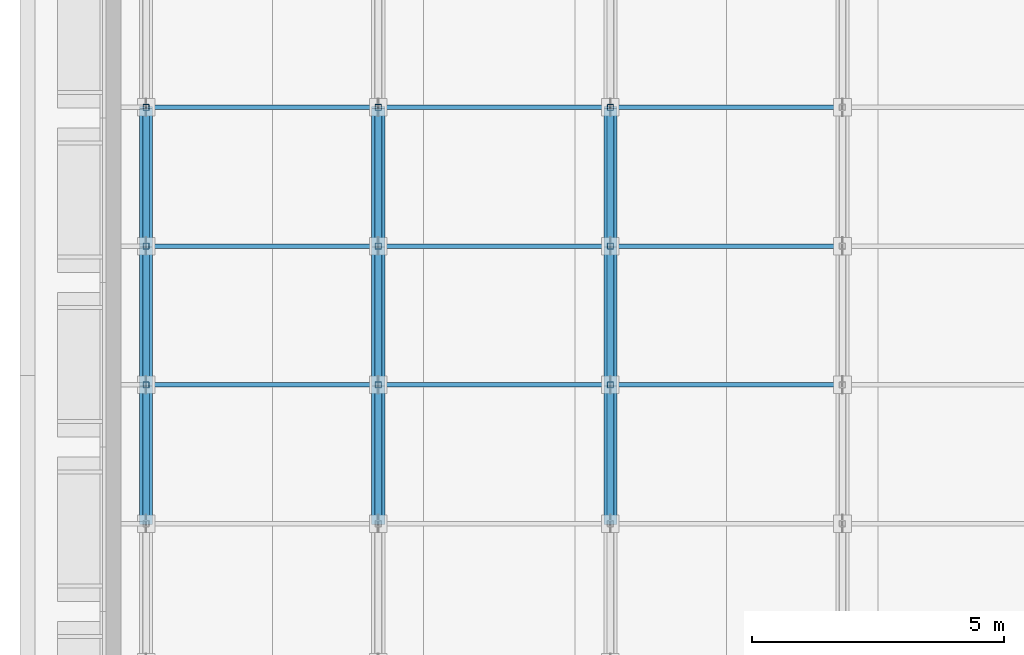
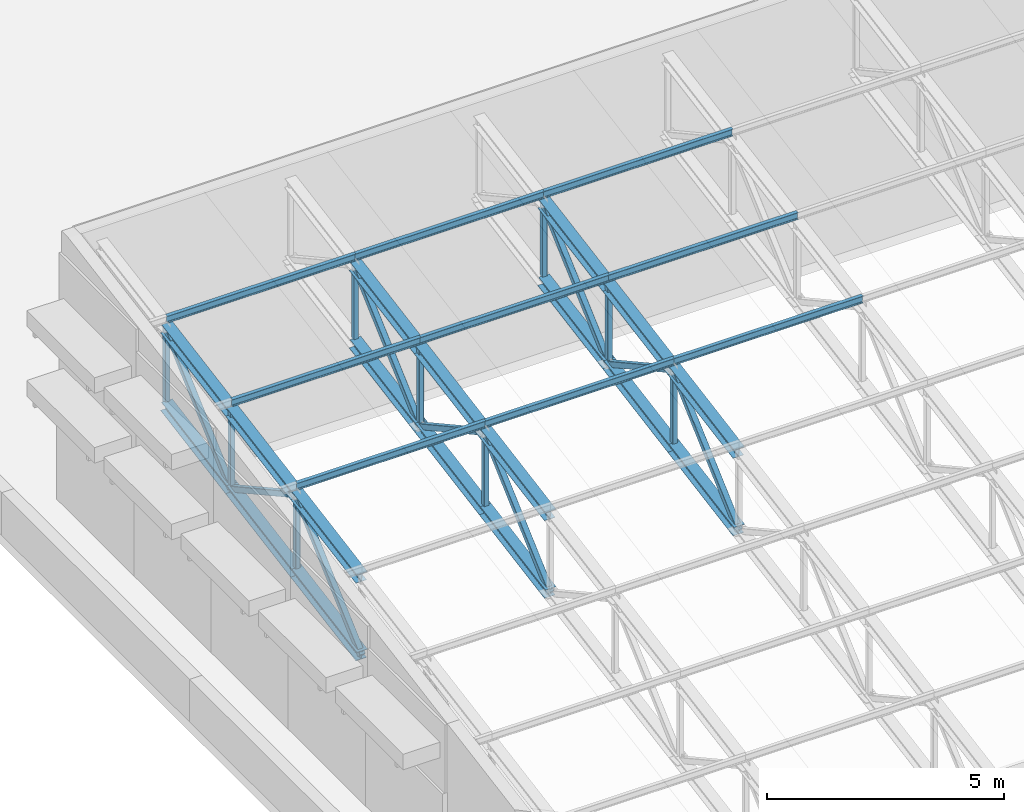
# One storey, part 4 of 22: 45 members.
"""IFC4 building model written with IfcOpenShell, lengths in metres."""

from ifc_helpers import new_model, si_unit, direction, frame, origin, origin_2d, place, context, subcontext, project, spatial, hollow_rectangle, i_section, extrude, material, material_profile, profile_set, type_object, element, save


model = new_model("IFC4")

# Units and contexts
model_context = context("Model", 3, precision=1e-05, world=origin(), true_north=direction((0.0, 1.0)))
body_context = subcontext(model_context, "Body", "Model", "MODEL_VIEW")
ifc_project = project(units=[si_unit("LENGTHUNIT", "METRE"), si_unit("AREAUNIT", "SQUARE_METRE"), si_unit("VOLUMEUNIT", "CUBIC_METRE"), si_unit("PLANEANGLEUNIT", "RADIAN"), si_unit("MASSUNIT", "GRAM", prefix="KILO")], contexts=[model_context])

# Site, building, storey
site_placement = place(None, origin())
site = spatial("IfcSite", under=ifc_project, at=site_placement, CompositionType="ELEMENT")
building_placement = place(site_placement, origin())
building = spatial("IfcBuilding", under=site, at=building_placement, Name="Lunette Opera House", CompositionType="ELEMENT")
storey_placement = place(building_placement, frame((0.0, 0.0, 28.0)))
storey = spatial("IfcBuildingStorey", under=building, at=storey_placement, Name="L05", CompositionType="ELEMENT", Elevation=28.0)

# Members
ifc_material_1 = material(Name="Steel S355", Category="steel")
ifc_material_profile_1 = material_profile(ifc_material_1, i_section(OverallWidth=0.260009765625, OverallDepth=0.25, WebThickness=0.007568359375, FlangeThickness=0.012451171875, FilletRadius=0.02392578125, at=origin_2d()), Name="HEA 260")
ifc_profile_set_1 = profile_set([ifc_material_profile_1], Name="Steel S355")
member_type_1 = type_object("IfcMemberType", Name="CHORD HEA 260", PredefinedType="CHORD", material=ifc_profile_set_1)
for number, where, z_axis, x_axis, name in (
    (1, (10.5, 77.0, 4.635009765625), (0.0, 0.98486969904, 0.173296497115), (-1.0, 0.0, 0.0), "mem-RW-L05-LF-1-TC5"),
    (2, (10.5, 77.0, 2.635009765625), (0.0, 0.98486969904, 0.173296497115), (-1.0, 0.0, 0.0), "mem-RW-L05-LF-1-BC5"),
):
    element("IfcMember", number, at=place(storey_placement, frame(where, z_axis=z_axis, x_axis=x_axis)), inside=storey, type_object=member_type_1, Name=name, PredefinedType="CHORD", context=body_context, shape_type="SweptSolid", body=[
        extrude(i_section(OverallWidth=0.260009765625, OverallDepth=0.25, WebThickness=0.007568359375, FlangeThickness=0.012451171875, FilletRadius=0.02392578125, at=origin_2d()), origin(), (0.0, 0.0, 1.0), 2.792236328125),
    ])
for number, where, z_axis, x_axis, name in (
    (3, (10.5, 79.75, 5.118896484375), (0.0, 0.984794998673, 0.173720495593), (-1.0, 0.0, 0.0), "mem-RW-L05-LF-1-TC6"),
    (4, (10.5, 79.75, 3.118896484375), (0.0, 0.984794998673, 0.173720495593), (-1.0, 0.0, 0.0), "mem-RW-L05-LF-1-BC6"),
    (5, (10.5, 82.5, 5.60400390625), (0.0, 0.984794998673, 0.173720495593), (-1.0, 0.0, 0.0), "mem-RW-L05-LF-1-TC7"),
    (6, (10.5, 82.5, 3.60400390625), (0.0, 0.984794998673, 0.173720495593), (-1.0, 0.0, 0.0), "mem-RW-L05-LF-1-BC7"),
):
    element("IfcMember", number, at=place(storey_placement, frame(where, z_axis=z_axis, x_axis=x_axis)), inside=storey, type_object=member_type_1, Name=name, PredefinedType="CHORD", context=body_context, shape_type="SweptSolid", body=[
        extrude(i_section(OverallWidth=0.260009765625, OverallDepth=0.25, WebThickness=0.007568359375, FlangeThickness=0.012451171875, FilletRadius=0.02392578125, at=origin_2d()), origin(), (0.0, 0.0, 1.0), 2.79248046875),
    ])
for number, where, z_axis, x_axis, name in (
    (7, (15.10009765625, 77.0, 4.635009765625), (0.0, 0.98486969904, 0.173296497115), (-1.0, 0.0, 0.0), "mem-RW-L05-LF-2-TC5"),
    (8, (15.10009765625, 77.0, 2.635009765625), (0.0, 0.98486969904, 0.173296497115), (-1.0, 0.0, 0.0), "mem-RW-L05-LF-2-BC5"),
):
    element("IfcMember", number, at=place(storey_placement, frame(where, z_axis=z_axis, x_axis=x_axis)), inside=storey, type_object=member_type_1, Name=name, PredefinedType="CHORD", context=body_context, shape_type="SweptSolid", body=[
        extrude(i_section(OverallWidth=0.260009765625, OverallDepth=0.25, WebThickness=0.007568359375, FlangeThickness=0.012451171875, FilletRadius=0.02392578125, at=origin_2d()), origin(), (0.0, 0.0, 1.0), 2.792236328125),
    ])
for number, where, z_axis, x_axis, name in (
    (9, (15.10009765625, 79.75, 5.118896484375), (0.0, 0.984794998673, 0.173720495593), (-1.0, 0.0, 0.0), "mem-RW-L05-LF-2-TC6"),
    (10, (15.10009765625, 79.75, 3.118896484375), (0.0, 0.984794998673, 0.173720495593), (-1.0, 0.0, 0.0), "mem-RW-L05-LF-2-BC6"),
    (11, (15.10009765625, 82.5, 5.60400390625), (0.0, 0.984794998673, 0.173720495593), (-1.0, 0.0, 0.0), "mem-RW-L05-LF-2-TC7"),
    (12, (15.10009765625, 82.5, 3.60400390625), (0.0, 0.984794998673, 0.173720495593), (-1.0, 0.0, 0.0), "mem-RW-L05-LF-2-BC7"),
):
    element("IfcMember", number, at=place(storey_placement, frame(where, z_axis=z_axis, x_axis=x_axis)), inside=storey, type_object=member_type_1, Name=name, PredefinedType="CHORD", context=body_context, shape_type="SweptSolid", body=[
        extrude(i_section(OverallWidth=0.260009765625, OverallDepth=0.25, WebThickness=0.007568359375, FlangeThickness=0.012451171875, FilletRadius=0.02392578125, at=origin_2d()), origin(), (0.0, 0.0, 1.0), 2.79248046875),
    ])
for number, where, z_axis, x_axis, name in (
    (13, (19.699951171875, 77.0, 4.635009765625), (0.0, 0.98486969904, 0.173296497115), (-1.0, 0.0, 0.0), "mem-RW-L05-LF-3-TC5"),
    (14, (19.699951171875, 77.0, 2.635009765625), (0.0, 0.98486969904, 0.173296497115), (-1.0, 0.0, 0.0), "mem-RW-L05-LF-3-BC5"),
):
    element("IfcMember", number, at=place(storey_placement, frame(where, z_axis=z_axis, x_axis=x_axis)), inside=storey, type_object=member_type_1, Name=name, PredefinedType="CHORD", context=body_context, shape_type="SweptSolid", body=[
        extrude(i_section(OverallWidth=0.260009765625, OverallDepth=0.25, WebThickness=0.007568359375, FlangeThickness=0.012451171875, FilletRadius=0.02392578125, at=origin_2d()), origin(), (0.0, 0.0, 1.0), 2.792236328125),
    ])
for number, where, z_axis, x_axis, name in (
    (15, (19.699951171875, 79.75, 5.118896484375), (0.0, 0.984794998673, 0.173720495593), (-1.0, 0.0, 0.0), "mem-RW-L05-LF-3-TC6"),
    (16, (19.699951171875, 79.75, 3.118896484375), (0.0, 0.984794998673, 0.173720495593), (-1.0, 0.0, 0.0), "mem-RW-L05-LF-3-BC6"),
    (17, (19.699951171875, 82.5, 5.60400390625), (0.0, 0.984794998673, 0.173720495593), (-1.0, 0.0, 0.0), "mem-RW-L05-LF-3-TC7"),
    (18, (19.699951171875, 82.5, 3.60400390625), (0.0, 0.984794998673, 0.173720495593), (-1.0, 0.0, 0.0), "mem-RW-L05-LF-3-BC7"),
):
    element("IfcMember", number, at=place(storey_placement, frame(where, z_axis=z_axis, x_axis=x_axis)), inside=storey, type_object=member_type_1, Name=name, PredefinedType="CHORD", context=body_context, shape_type="SweptSolid", body=[
        extrude(i_section(OverallWidth=0.260009765625, OverallDepth=0.25, WebThickness=0.007568359375, FlangeThickness=0.012451171875, FilletRadius=0.02392578125, at=origin_2d()), origin(), (0.0, 0.0, 1.0), 2.79248046875),
    ])
ifc_material_2 = material(Name="Steel S355", Category="steel")
ifc_material_profile_2 = material_profile(ifc_material_2, hollow_rectangle(XDim=0.139892578125, YDim=0.139892578125, WallThickness=0.006103515625, InnerFilletRadius=0.006103515625, OuterFilletRadius=0.011962890625, at=origin_2d()), Name="RHS 140X140X6")
ifc_profile_set_2 = profile_set([ifc_material_profile_2], Name="Steel S355")
member_type_2 = type_object("IfcMemberType", Name="DIAGONAL RHS 140X140X6", PredefinedType="BRACE", material=ifc_profile_set_2)
member_1_placement = place(storey_placement, frame((10.5, 77.0, 2.635009765625), z_axis=(0.0, 0.742100528467, 0.670288598776), x_axis=(-1.0, 0.0, 0.0)))
element("IfcMember", 19, at=member_1_placement, inside=storey, type_object=member_type_2, Name="mem-RW-L05-LF-1-TD5", PredefinedType="BRACE", context=body_context, shape_type="SweptSolid", body=[
    extrude(hollow_rectangle(XDim=0.139892578125, YDim=0.139892578125, WallThickness=0.006103515625, InnerFilletRadius=0.006103515625, OuterFilletRadius=0.011962890625, at=origin_2d()), origin(), (0.0, 0.0, 1.0), 3.705810546875),
])
member_2_placement = place(storey_placement, frame((10.5, 79.75, 5.118896484375), z_axis=(0.0, 0.875893925299, -0.482503711513), x_axis=(-1.0, 0.0, 0.0)))
element("IfcMember", 20, at=member_2_placement, inside=storey, type_object=member_type_2, Name="mem-RW-L05-LF-1-TD6", PredefinedType="BRACE", context=body_context, shape_type="SweptSolid", body=[
    extrude(hollow_rectangle(XDim=0.139892578125, YDim=0.139892578125, WallThickness=0.006103515625, InnerFilletRadius=0.006103515625, OuterFilletRadius=0.011962890625, at=origin_2d()), origin(), (0.0, 0.0, 1.0), 3.1396484375),
])
member_3_placement = place(storey_placement, frame((10.5, 82.5, 3.60400390625), z_axis=(0.0, 0.741936685601, 0.670469950527), x_axis=(-1.0, 0.0, 0.0)))
element("IfcMember", 21, at=member_3_placement, inside=storey, type_object=member_type_2, Name="mem-RW-L05-LF-1-TD7", PredefinedType="BRACE", context=body_context, shape_type="SweptSolid", body=[
    extrude(hollow_rectangle(XDim=0.139892578125, YDim=0.139892578125, WallThickness=0.006103515625, InnerFilletRadius=0.006103515625, OuterFilletRadius=0.011962890625, at=origin_2d()), origin(), (0.0, 0.0, 1.0), 3.70654296875),
])
member_4_placement = place(storey_placement, frame((15.10009765625, 77.0, 2.635009765625), z_axis=(0.0, 0.742100528467, 0.670288598776), x_axis=(-1.0, 0.0, 0.0)))
element("IfcMember", 22, at=member_4_placement, inside=storey, type_object=member_type_2, Name="mem-RW-L05-LF-2-TD5", PredefinedType="BRACE", context=body_context, shape_type="SweptSolid", body=[
    extrude(hollow_rectangle(XDim=0.139892578125, YDim=0.139892578125, WallThickness=0.006103515625, InnerFilletRadius=0.006103515625, OuterFilletRadius=0.011962890625, at=origin_2d()), origin(), (0.0, 0.0, 1.0), 3.705810546875),
])
member_5_placement = place(storey_placement, frame((15.10009765625, 79.75, 5.118896484375), z_axis=(0.0, 0.875893925299, -0.482503711513), x_axis=(-1.0, 0.0, 0.0)))
element("IfcMember", 23, at=member_5_placement, inside=storey, type_object=member_type_2, Name="mem-RW-L05-LF-2-TD6", PredefinedType="BRACE", context=body_context, shape_type="SweptSolid", body=[
    extrude(hollow_rectangle(XDim=0.139892578125, YDim=0.139892578125, WallThickness=0.006103515625, InnerFilletRadius=0.006103515625, OuterFilletRadius=0.011962890625, at=origin_2d()), origin(), (0.0, 0.0, 1.0), 3.1396484375),
])
member_6_placement = place(storey_placement, frame((15.10009765625, 82.5, 3.60400390625), z_axis=(0.0, 0.741936685601, 0.670469950527), x_axis=(-1.0, 0.0, 0.0)))
element("IfcMember", 24, at=member_6_placement, inside=storey, type_object=member_type_2, Name="mem-RW-L05-LF-2-TD7", PredefinedType="BRACE", context=body_context, shape_type="SweptSolid", body=[
    extrude(hollow_rectangle(XDim=0.139892578125, YDim=0.139892578125, WallThickness=0.006103515625, InnerFilletRadius=0.006103515625, OuterFilletRadius=0.011962890625, at=origin_2d()), origin(), (0.0, 0.0, 1.0), 3.70654296875),
])
member_7_placement = place(storey_placement, frame((19.699951171875, 77.0, 2.635009765625), z_axis=(0.0, 0.742100528467, 0.670288598776), x_axis=(-1.0, 0.0, 0.0)))
element("IfcMember", 25, at=member_7_placement, inside=storey, type_object=member_type_2, Name="mem-RW-L05-LF-3-TD5", PredefinedType="BRACE", context=body_context, shape_type="SweptSolid", body=[
    extrude(hollow_rectangle(XDim=0.139892578125, YDim=0.139892578125, WallThickness=0.006103515625, InnerFilletRadius=0.006103515625, OuterFilletRadius=0.011962890625, at=origin_2d()), origin(), (0.0, 0.0, 1.0), 3.705810546875),
])
member_8_placement = place(storey_placement, frame((19.699951171875, 79.75, 5.118896484375), z_axis=(0.0, 0.875893925299, -0.482503711513), x_axis=(-1.0, 0.0, 0.0)))
element("IfcMember", 26, at=member_8_placement, inside=storey, type_object=member_type_2, Name="mem-RW-L05-LF-3-TD6", PredefinedType="BRACE", context=body_context, shape_type="SweptSolid", body=[
    extrude(hollow_rectangle(XDim=0.139892578125, YDim=0.139892578125, WallThickness=0.006103515625, InnerFilletRadius=0.006103515625, OuterFilletRadius=0.011962890625, at=origin_2d()), origin(), (0.0, 0.0, 1.0), 3.1396484375),
])
member_9_placement = place(storey_placement, frame((19.699951171875, 82.5, 3.60400390625), z_axis=(0.0, 0.741936685601, 0.670469950527), x_axis=(-1.0, 0.0, 0.0)))
element("IfcMember", 27, at=member_9_placement, inside=storey, type_object=member_type_2, Name="mem-RW-L05-LF-3-TD7", PredefinedType="BRACE", context=body_context, shape_type="SweptSolid", body=[
    extrude(hollow_rectangle(XDim=0.139892578125, YDim=0.139892578125, WallThickness=0.006103515625, InnerFilletRadius=0.006103515625, OuterFilletRadius=0.011962890625, at=origin_2d()), origin(), (0.0, 0.0, 1.0), 3.70654296875),
])
ifc_material_3 = material(Name="Steel S355", Category="steel")
ifc_material_profile_3 = material_profile(ifc_material_3, i_section(OverallWidth=0.091064453125, OverallDepth=0.179931640625, WebThickness=0.00537109375, FlangeThickness=0.008056640625, FilletRadius=0.009033203125, at=origin_2d()), Name="IPE 180")
ifc_profile_set_3 = profile_set([ifc_material_profile_3], Name="Steel S355")
member_type_3 = type_object("IfcMemberType", Name="PURLIN IPE 180", PredefinedType="PURLIN", material=ifc_profile_set_3)
member_10_placement = place(storey_placement, frame((10.5, 79.75, 5.333984375), z_axis=(1.0, 0.0, 0.0), x_axis=(0.0, 1.0, 0.0)))
element("IfcMember", 28, at=member_10_placement, inside=storey, type_object=member_type_3, Name="mem-RW-L05-LF-PU5-2", PredefinedType="PURLIN", context=body_context, shape_type="SweptSolid", body=[
    extrude(i_section(OverallWidth=0.091064453125, OverallDepth=0.179931640625, WebThickness=0.00537109375, FlangeThickness=0.008056640625, FilletRadius=0.009033203125, at=origin_2d()), origin(), (0.0, 0.0, 1.0), 4.60009765625),
])
member_11_placement = place(storey_placement, frame((15.10009765625, 79.75, 5.333984375), z_axis=(1.0, 0.0, 0.0), x_axis=(0.0, 1.0, 0.0)))
element("IfcMember", 29, at=member_11_placement, inside=storey, type_object=member_type_3, Name="mem-RW-L05-LF-PU5-3", PredefinedType="PURLIN", context=body_context, shape_type="SweptSolid", body=[
    extrude(i_section(OverallWidth=0.091064453125, OverallDepth=0.179931640625, WebThickness=0.00537109375, FlangeThickness=0.008056640625, FilletRadius=0.009033203125, at=origin_2d()), origin(), (0.0, 0.0, 1.0), 4.599853515625),
])
for number, where, z_axis, x_axis, name in (
    (30, (19.699951171875, 79.75, 5.333984375), (1.0, 0.0, 0.0), (0.0, 1.0, 0.0), "mem-RW-L05-LF-PU5-4"),
    (31, (10.5, 82.5, 5.819091796875), (1.0, 0.0, 0.0), (0.0, 1.0, 0.0), "mem-RW-L05-LF-PU6-2"),
):
    element("IfcMember", number, at=place(storey_placement, frame(where, z_axis=z_axis, x_axis=x_axis)), inside=storey, type_object=member_type_3, Name=name, PredefinedType="PURLIN", context=body_context, shape_type="SweptSolid", body=[
        extrude(i_section(OverallWidth=0.091064453125, OverallDepth=0.179931640625, WebThickness=0.00537109375, FlangeThickness=0.008056640625, FilletRadius=0.009033203125, at=origin_2d()), origin(), (0.0, 0.0, 1.0), 4.60009765625),
    ])
member_12_placement = place(storey_placement, frame((15.10009765625, 82.5, 5.819091796875), z_axis=(1.0, 0.0, 0.0), x_axis=(0.0, 1.0, 0.0)))
element("IfcMember", 32, at=member_12_placement, inside=storey, type_object=member_type_3, Name="mem-RW-L05-LF-PU6-3", PredefinedType="PURLIN", context=body_context, shape_type="SweptSolid", body=[
    extrude(i_section(OverallWidth=0.091064453125, OverallDepth=0.179931640625, WebThickness=0.00537109375, FlangeThickness=0.008056640625, FilletRadius=0.009033203125, at=origin_2d()), origin(), (0.0, 0.0, 1.0), 4.599853515625),
])
for number, where, z_axis, x_axis, name in (
    (33, (19.699951171875, 82.5, 5.819091796875), (1.0, 0.0, 0.0), (0.0, 1.0, 0.0), "mem-RW-L05-LF-PU6-4"),
    (34, (10.5, 85.25, 6.303955078125), (1.0, 0.0, 0.0), (0.0, 1.0, 0.0), "mem-RW-L05-LF-PU7-2"),
):
    element("IfcMember", number, at=place(storey_placement, frame(where, z_axis=z_axis, x_axis=x_axis)), inside=storey, type_object=member_type_3, Name=name, PredefinedType="PURLIN", context=body_context, shape_type="SweptSolid", body=[
        extrude(i_section(OverallWidth=0.091064453125, OverallDepth=0.179931640625, WebThickness=0.00537109375, FlangeThickness=0.008056640625, FilletRadius=0.009033203125, at=origin_2d()), origin(), (0.0, 0.0, 1.0), 4.60009765625),
    ])
member_13_placement = place(storey_placement, frame((15.10009765625, 85.25, 6.303955078125), z_axis=(1.0, 0.0, 0.0), x_axis=(0.0, 1.0, 0.0)))
element("IfcMember", 35, at=member_13_placement, inside=storey, type_object=member_type_3, Name="mem-RW-L05-LF-PU7-3", PredefinedType="PURLIN", context=body_context, shape_type="SweptSolid", body=[
    extrude(i_section(OverallWidth=0.091064453125, OverallDepth=0.179931640625, WebThickness=0.00537109375, FlangeThickness=0.008056640625, FilletRadius=0.009033203125, at=origin_2d()), origin(), (0.0, 0.0, 1.0), 4.599853515625),
])
member_14_placement = place(storey_placement, frame((19.699951171875, 85.25, 6.303955078125), z_axis=(1.0, 0.0, 0.0), x_axis=(0.0, 1.0, 0.0)))
element("IfcMember", 36, at=member_14_placement, inside=storey, type_object=member_type_3, Name="mem-RW-L05-LF-PU7-4", PredefinedType="PURLIN", context=body_context, shape_type="SweptSolid", body=[
    extrude(i_section(OverallWidth=0.091064453125, OverallDepth=0.179931640625, WebThickness=0.00537109375, FlangeThickness=0.008056640625, FilletRadius=0.009033203125, at=origin_2d()), origin(), (0.0, 0.0, 1.0), 4.60009765625),
])
ifc_material_4 = material(Name="Steel S355", Category="steel")
ifc_material_profile_4 = material_profile(ifc_material_4, hollow_rectangle(XDim=0.1201171875, YDim=0.1201171875, WallThickness=0.0048828125, InnerFilletRadius=0.0048828125, OuterFilletRadius=0.010009765625, at=origin_2d()), Name="RHS 120X120X5")
ifc_profile_set_4 = profile_set([ifc_material_profile_4], Name="Steel S355")
member_type_4 = type_object("IfcMemberType", Name="VERTICAL RHS 120X120X5", PredefinedType="POST", material=ifc_profile_set_4)
for number, where, z_axis, x_axis, name in (
    (37, (10.5, 79.75, 3.118896484375), (0.0, 0.0, 1.0), (1.0, 0.0, 0.0), "mem-RW-L05-LF-1-TV6"),
    (38, (10.5, 82.5, 3.60400390625), (0.0, 0.0, 1.0), (1.0, 0.0, 0.0), "mem-RW-L05-LF-1-TV7"),
    (39, (10.5, 85.25, 4.089111328125), (0.0, 0.0, 1.0), (1.0, 0.0, 0.0), "mem-RW-L05-LF-1-TV8"),
    (40, (15.10009765625, 79.75, 3.118896484375), (0.0, 0.0, 1.0), (1.0, 0.0, 0.0), "mem-RW-L05-LF-2-TV6"),
    (41, (15.10009765625, 82.5, 3.60400390625), (0.0, 0.0, 1.0), (1.0, 0.0, 0.0), "mem-RW-L05-LF-2-TV7"),
    (42, (15.10009765625, 85.25, 4.089111328125), (0.0, 0.0, 1.0), (1.0, 0.0, 0.0), "mem-RW-L05-LF-2-TV8"),
    (43, (19.699951171875, 79.75, 3.118896484375), (0.0, 0.0, 1.0), (1.0, 0.0, 0.0), "mem-RW-L05-LF-3-TV6"),
    (44, (19.699951171875, 82.5, 3.60400390625), (0.0, 0.0, 1.0), (1.0, 0.0, 0.0), "mem-RW-L05-LF-3-TV7"),
    (45, (19.699951171875, 85.25, 4.089111328125), (0.0, 0.0, 1.0), (1.0, 0.0, 0.0), "mem-RW-L05-LF-3-TV8"),
):
    element("IfcMember", number, at=place(storey_placement, frame(where, z_axis=z_axis, x_axis=x_axis)), inside=storey, type_object=member_type_4, Name=name, PredefinedType="POST", context=body_context, shape_type="SweptSolid", body=[
        extrude(hollow_rectangle(XDim=0.1201171875, YDim=0.1201171875, WallThickness=0.0048828125, InnerFilletRadius=0.0048828125, OuterFilletRadius=0.010009765625, at=origin_2d()), origin(), (0.0, 0.0, 1.0), 2.0),
    ])

save(model, "model.ifc")
